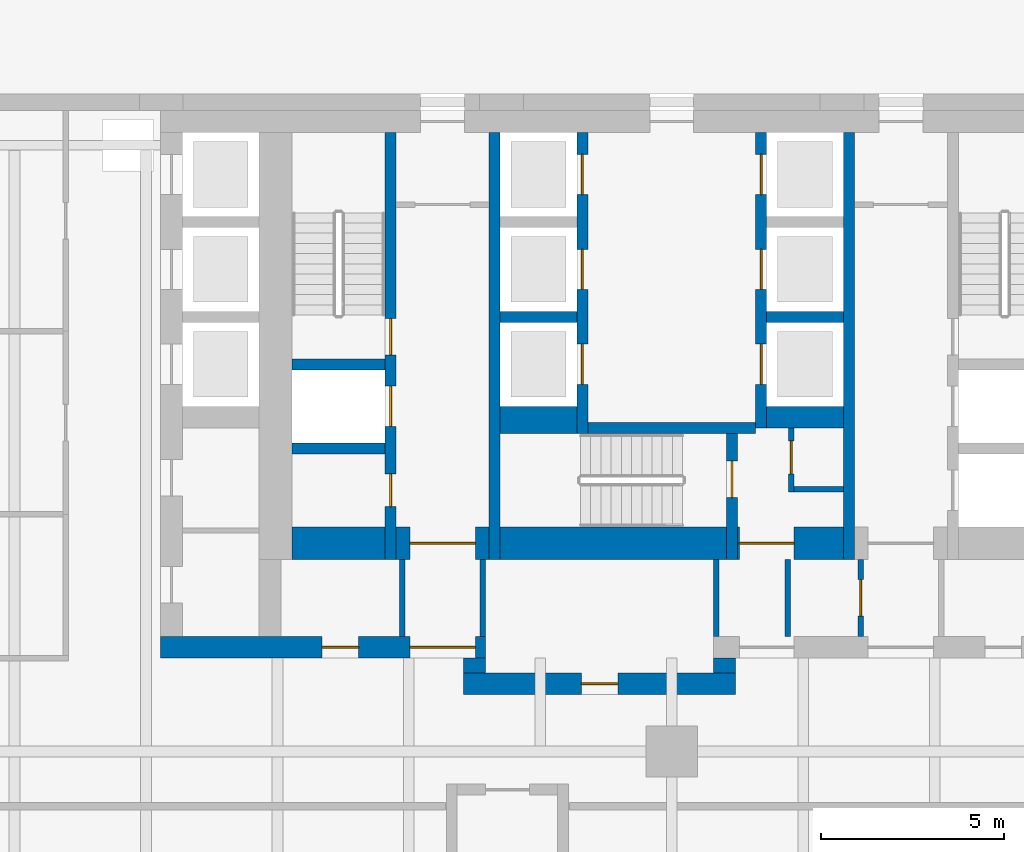
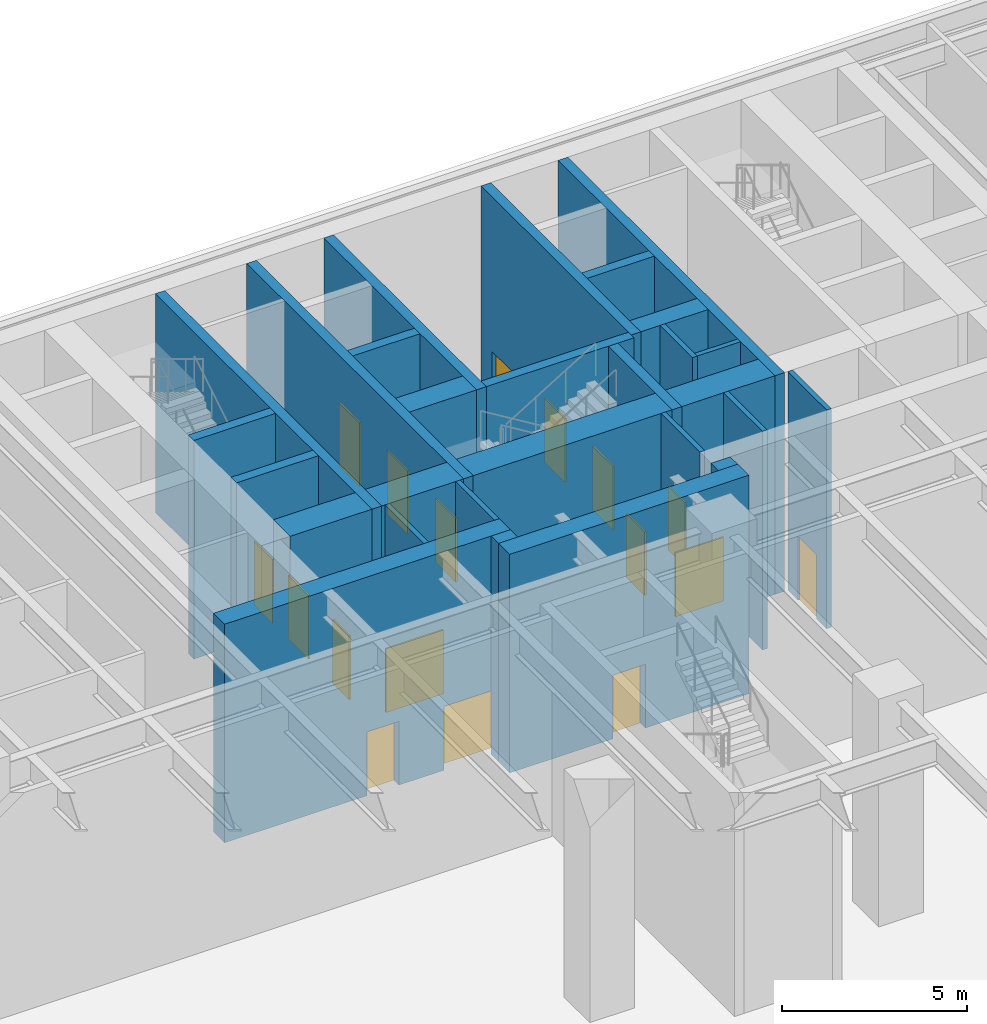
# One storey, part 29 of 37: 28 walls, 17 doors, 17 openings.
"""IFC4 building model written with IfcOpenShell, lengths in metres."""

import ifcopenshell
import ifcopenshell.guid

model = None  # the IFC model being written
_history = None  # IfcOwnerHistory: only IFC2X3 demands one
_inside = {}  # id of a spatial element -> (the spatial element, [elements in it])
_under = {}  # id of a project, library or spatial element -> (it, [spatial elements below it])
_declared = {}  # id of a project -> (the project, [libraries it declares])
_typed = {}  # id of a type object -> (the type object, [elements of that type])
_made_of = {}  # id of a material, layer set ... -> (it, [elements and type objects made of it])


def new_model(schema):
    """Start an empty IFC model of exactly this schema.

    Asked for "IFC4X3", IfcOpenShell would pick the latest addendum, in which some entities
    have other attributes; the version numbers below select the first issue.
    IFC2X3 requires an IfcOwnerHistory on every rooted entity: one is made here for all.
    """
    global model, _history
    if schema == "IFC4X3":
        model = ifcopenshell.file(schema_version=(4, 3, 0, 0))
    else:
        model = ifcopenshell.file(schema=schema)
    _inside.clear()
    _under.clear()
    _declared.clear()
    _typed.clear()
    _made_of.clear()
    _history = None
    if model.schema == "IFC2X3":
        org = make("IfcOrganization", Name="unknown")
        user = make(
            "IfcPersonAndOrganization",
            ThePerson=make("IfcPerson", FamilyName="unknown"),
            TheOrganization=org,
        )
        app = make(
            "IfcApplication",
            ApplicationDeveloper=org,
            Version="unknown",
            ApplicationFullName="unknown",
            ApplicationIdentifier="unknown",
        )
        _history = make(
            "IfcOwnerHistory",
            OwningUser=user,
            OwningApplication=app,
            ChangeAction="ADDED",
            CreationDate=0,
        )
    return model


def make(cls, **values):
    """One entity of the class cls with the attributes given. An attribute that is None is left unset."""
    return model.create_entity(
        cls, **{name: value for name, value in values.items() if value is not None}
    )


def rooted(cls, **values):
    """An entity with a GlobalId (a new one), such as an element, a storey or a relation."""
    return make(cls, GlobalId=ifcopenshell.guid.new(), OwnerHistory=_history, **values)


def si_unit(unit_type, name, prefix=None):
    """IfcSIUnit, for example si_unit("LENGTHUNIT", "METRE", prefix="MILLI")."""
    return make("IfcSIUnit", UnitType=unit_type, Prefix=prefix, Name=name)


def assignment(units):
    """IfcUnitAssignment: the units of a project."""
    return None if units is None else make("IfcUnitAssignment", Units=units)


def point(xyz):
    """IfcCartesianPoint."""
    return None if xyz is None else make("IfcCartesianPoint", Coordinates=xyz)


def direction(xyz):
    """IfcDirection."""
    return None if xyz is None else make("IfcDirection", DirectionRatios=xyz)


def frame(location, z_axis=None, x_axis=None):
    """IfcAxis2Placement3D, a coordinate frame: its origin and axes. An axis left out is left unset."""
    return make(
        "IfcAxis2Placement3D",
        Location=point(location),
        Axis=direction(z_axis),
        RefDirection=direction(x_axis),
    )


def frame_2d(location, x_axis=None):
    """IfcAxis2Placement2D, a coordinate frame in the plane: its origin and x axis."""
    return make(
        "IfcAxis2Placement2D", Location=point(location), RefDirection=direction(x_axis)
    )


def origin():
    """The frame at (0, 0, 0) with its axes left unset."""
    return frame((0.0, 0.0, 0.0))


def place(relative_to, where):
    """IfcLocalPlacement: puts the frame where relative to a parent placement (None: the world)."""
    return make(
        "IfcLocalPlacement", PlacementRelTo=relative_to, RelativePlacement=where
    )


def context(
    kind, dimensions, precision=None, world=None, true_north=None, identifier=None
):
    """IfcGeometricRepresentationContext, for example the 3D "Model" context."""
    return make(
        "IfcGeometricRepresentationContext",
        ContextIdentifier=identifier,
        ContextType=kind,
        CoordinateSpaceDimension=dimensions,
        Precision=precision,
        WorldCoordinateSystem=world,
        TrueNorth=true_north,
    )


def subcontext(parent, identifier, kind, view, scale=None):
    """IfcGeometricRepresentationSubContext, for example "Body" below "Model"."""
    return make(
        "IfcGeometricRepresentationSubContext",
        ContextIdentifier=identifier,
        ContextType=kind,
        ParentContext=parent,
        TargetScale=scale,
        TargetView=view,
    )


def project(units=None, contexts=None):
    """IfcProject with its units and contexts."""
    return rooted(
        "IfcProject",
        Name="project",
        RepresentationContexts=contexts,
        UnitsInContext=assignment(units),
    )


def spatial(cls, under=None, at=None, **own):
    """A site, building, storey or space (cls), placed at a placement, below another one or the project."""
    s = rooted(cls, ObjectPlacement=at, **own)
    if under is not None:
        _under.setdefault(under.id(), (under, []))[1].append(s)
    return s


def profile(cls, at=None, kind="AREA", **sizes):
    """A parametric profile (cls). Its sizes go by their IFC names, for example OverallWidth=200.0."""
    return make(cls, ProfileType=kind, Position=at, **sizes)


def rectangle(**sizes):
    """IfcRectangleProfileDef."""
    return profile("IfcRectangleProfileDef", **sizes)


def extrude(swept, where, along, depth):
    """IfcExtrudedAreaSolid: the profile swept, set in the frame where, extruded along a direction by depth."""
    return make(
        "IfcExtrudedAreaSolid",
        SweptArea=swept,
        Position=where,
        ExtrudedDirection=direction(along),
        Depth=depth,
    )


def shape(context_of_items, identifier, shape_type, items):
    """IfcShapeRepresentation: the items that make up one representation, for example the "Body"."""
    return make(
        "IfcShapeRepresentation",
        ContextOfItems=context_of_items,
        RepresentationIdentifier=identifier,
        RepresentationType=shape_type,
        Items=items,
    )


def material(Name=None, Category=None):
    """IfcMaterial."""
    return make("IfcMaterial", Name=Name, Category=Category)


def layer(
    of_material, thickness, ventilated=None, Name=None, Category=None, Priority=None
):
    """IfcMaterialLayer: one layer of a wall or slab, of a material (None: an air gap)."""
    return make(
        "IfcMaterialLayer",
        Material=of_material,
        LayerThickness=thickness,
        IsVentilated=ventilated,
        Name=Name,
        Category=Category,
        Priority=Priority,
    )


def layer_set(layers, Name=None):
    """IfcMaterialLayerSet."""
    return make("IfcMaterialLayerSet", MaterialLayers=layers, LayerSetName=Name)


def made_of(thing, what):
    """Note that an element or type object is made of a material, layer set ...; save() writes the relation."""
    if what is not None:
        _made_of.setdefault(what.id(), (what, []))[1].append(thing)
    return thing


def type_object(cls, material=None, **own):
    """A type object (cls), such as IfcWallType, which elements share."""
    return made_of(rooted(cls, **own), material)


def element(
    cls,
    number,
    at=None,
    inside=None,
    cuts=None,
    type_object=None,
    material=None,
    context=None,
    identifier="Body",
    shape_type=None,
    held_by="IfcProductDefinitionShape",
    body=None,
    shapes=None,
    **own,
):
    """One element of the class cls, such as IfcWall. Its Tag is "e" and its number.

    at: its placement. inside: the storey or other place that contains it. cuts: it is an
    opening in that element (IfcRelVoidsElement). A single representation is given by context,
    identifier, shape_type and body (its items); several are given by shapes. held_by: the class
    of the entity that holds the representations. save() writes the other relations.
    """
    e = rooted(cls, Tag="e%d" % number, ObjectPlacement=at, **own)
    if body is not None:
        shapes = [shape(context, identifier, shape_type, body)]
    if shapes is not None:
        e.Representation = make(held_by, Representations=shapes)
    if inside is not None:
        _inside.setdefault(inside.id(), (inside, []))[1].append(e)
    if cuts is not None:
        rooted(
            "IfcRelVoidsElement", RelatingBuildingElement=cuts, RelatedOpeningElement=e
        )
    if type_object is not None:
        _typed.setdefault(type_object.id(), (type_object, []))[1].append(e)
    return made_of(e, material)


def fill(opening, filler):
    """IfcRelFillsElement: the door or window that sits in an opening."""
    return rooted(
        "IfcRelFillsElement",
        RelatingOpeningElement=opening,
        RelatedBuildingElement=filler,
    )


def aggregate(whole, parts):
    """IfcRelAggregates: a whole, such as a stair, and the parts it consists of."""
    return rooted("IfcRelAggregates", RelatingObject=whole, RelatedObjects=parts)


def save(model, path):
    """Write the relations noted so far, then the file.

    IfcRelAggregates (storeys below a building ...), IfcRelContainedInSpatialStructure (elements
    in a storey), IfcRelDefinesByType, IfcRelAssociatesMaterial and IfcRelDeclares: one each for
    every whole, place, type object, material and project.
    """
    for whole, parts in _under.values():
        aggregate(whole, parts)
    for where, things in _inside.values():
        rooted(
            "IfcRelContainedInSpatialStructure",
            RelatedElements=things,
            RelatingStructure=where,
        )
    for kind, things in _typed.values():
        rooted("IfcRelDefinesByType", RelatedObjects=things, RelatingType=kind)
    for what, things in _made_of.values():
        rooted("IfcRelAssociatesMaterial", RelatedObjects=things, RelatingMaterial=what)
    for by, libraries in _declared.values():
        rooted("IfcRelDeclares", RelatingContext=by, RelatedDefinitions=libraries)
    model.write(path)


model = new_model("IFC4")

# Units and contexts
model_context = context("Model", 3, precision=1e-05, world=origin(), true_north=direction((0.0, 1.0)))
body_context = subcontext(model_context, "Body", "Model", "MODEL_VIEW")
ifc_project = project(units=[si_unit("LENGTHUNIT", "METRE"), si_unit("AREAUNIT", "SQUARE_METRE"), si_unit("VOLUMEUNIT", "CUBIC_METRE"), si_unit("PLANEANGLEUNIT", "RADIAN"), si_unit("MASSUNIT", "GRAM", prefix="KILO")], contexts=[model_context])

# Site, building, storey
site_placement = place(None, origin())
site = spatial("IfcSite", under=ifc_project, at=site_placement, CompositionType="ELEMENT")
building_placement = place(site_placement, origin())
building = spatial("IfcBuilding", under=site, at=building_placement, Name="Aloe Facet Convention Tower", CompositionType="ELEMENT")
storey_placement = place(building_placement, origin())
storey = spatial("IfcBuildingStorey", under=building, at=storey_placement, Name="L00", CompositionType="ELEMENT", Elevation=0.0)

# Walls
ifc_material_1 = material(Name="Concrete blockwork partition", Category="masonry")
ifc_layer_1 = layer(ifc_material_1, 0.14990234375)
ifc_layer_set_1 = layer_set([ifc_layer_1], Name="CR-W-PART150")
wall_type_1 = type_object("IfcWallType", Name="CR-W-PART150", PredefinedType="PARTITIONING", material=ifc_layer_set_1)
for number, where, z_axis, x_axis, name in (
    (1, (72.625, 122.25, 0.0), (0.0, 0.0, 1.0), (0.0, -1.0, 0.0), "Core partition L00-016"),
    (2, (74.824951171875, 122.25, 0.0), (0.0, 0.0, 1.0), (0.0, -1.0, 0.0), "Core partition L00-019"),
    (3, (81.22509765625, 122.25, 0.0), (0.0, 0.0, 1.0), (0.0, -1.0, 0.0), "Core partition L00-027"),
    (4, (83.175048828125, 122.25, 0.0), (0.0, 0.0, 1.0), (0.0, -1.0, 0.0), "Core partition L00-036"),
):
    element("IfcWall", number, at=place(storey_placement, frame(where, z_axis=z_axis, x_axis=x_axis)), inside=storey, type_object=wall_type_1, Name=name, PredefinedType="PARTITIONING", context=body_context, shape_type="SweptSolid", body=[
        extrude(rectangle(XDim=2.10009765625, YDim=0.14990234375, at=frame_2d((1.050048828125, 0.0))), origin(), (0.0, 0.0, 1.0), 7.199951171875),
    ])

# Wall, opening, door
wall_1_placement = place(storey_placement, frame((83.27490234375, 125.85009765625, 0.0), z_axis=(0.0, 0.0, 1.0), x_axis=(0.0, -1.0, 0.0)))
wall_1 = element("IfcWall", 5, at=wall_1_placement, inside=storey, type_object=wall_type_1, Name="Core partition L00-037", PredefinedType="PARTITIONING", context=body_context, shape_type="SweptSolid", body=[
    extrude(rectangle(XDim=1.75, YDim=0.14990234375, at=frame_2d((0.875, 0.0))), origin(), (0.0, 0.0, 1.0), 7.199951171875),
])
opening_1_placement = place(wall_1_placement, frame((0.35009765625, 0.0, 0.0)))
opening_1 = element("IfcOpeningElement", 6, at=opening_1_placement, cuts=wall_1, Name="Opening L00-CD20", PredefinedType="OPENING", context=body_context, shape_type="SweptSolid", body=[
    extrude(rectangle(XDim=0.89990234375, YDim=2.10009765625, at=frame_2d((0.449951171875, 1.050048828125))), frame((0.0, 0.0849609375, 0.0), z_axis=(0.0, -1.0, 0.0), x_axis=(1.0, 0.0, 0.0)), (0.0, 0.0, 1.0), 0.169921875),
])
ifc_material_2 = material(Name="Steel fire-resisting door set FD60", Category="steel")
door_type_1 = type_object("IfcDoorType", Name="CR-D-REFUGE-900-FD60-SRIGHT", OperationType="SINGLE_SWING_RIGHT", PredefinedType="DOOR", material=ifc_material_2)
door_1_placement = place(opening_1_placement, origin())
door_1 = element("IfcDoor", 7, at=door_1_placement, inside=storey, type_object=door_type_1, Name="Core door L00-CD20", OperationType="SINGLE_SWING_RIGHT", OverallHeight=2.10009765625, OverallWidth=0.89990234375, PredefinedType="DOOR", context=body_context, shape_type="SweptSolid", body=[
    extrude(rectangle(XDim=0.89990234375, YDim=2.10009765625, at=frame_2d((0.449951171875, 1.050048828125))), frame((0.0, 0.02490234375, 0.0), z_axis=(0.0, -1.0, 0.0), x_axis=(1.0, 0.0, 0.0)), (0.0, 0.0, 1.0), 0.050048828125),
])
fill(opening_1, door_1)

# Wall
wall_2_placement = place(storey_placement, frame((83.35009765625, 124.175048828125, 0.0), z_axis=(0.0, 0.0, 1.0), x_axis=(1.0, 0.0, 0.0)))
element("IfcWall", 8, at=wall_2_placement, inside=storey, type_object=wall_type_1, Name="Core partition L00-038", PredefinedType="PARTITIONING", context=body_context, shape_type="SweptSolid", body=[
    extrude(rectangle(XDim=1.349853515625, YDim=0.14990234375, at=frame_2d((0.6748046875, 0.0))), origin(), (0.0, 0.0, 1.0), 7.199951171875),
])

# Wall, opening, door
wall_3_placement = place(storey_placement, frame((85.175048828125, 122.25, 0.0), z_axis=(0.0, 0.0, 1.0), x_axis=(0.0, -1.0, 0.0)))
wall_3 = element("IfcWall", 9, at=wall_3_placement, inside=storey, type_object=wall_type_1, Name="Core partition L00-042", PredefinedType="PARTITIONING", context=body_context, shape_type="SweptSolid", body=[
    extrude(rectangle(XDim=2.10009765625, YDim=0.14990234375, at=frame_2d((1.050048828125, 0.0))), origin(), (0.0, 0.0, 1.0), 7.199951171875),
])
opening_2_placement = place(wall_3_placement, frame((0.550048828125, 0.0, 0.0)))
opening_2 = element("IfcOpeningElement", 10, at=opening_2_placement, cuts=wall_3, Name="Opening L00-CD26", PredefinedType="OPENING", context=body_context, shape_type="SweptSolid", body=[
    extrude(rectangle(XDim=1.0, YDim=2.10009765625, at=frame_2d((0.5, 1.050048828125))), frame((0.0, 0.0849609375, 0.0), z_axis=(0.0, -1.0, 0.0), x_axis=(1.0, 0.0, 0.0)), (0.0, 0.0, 1.0), 0.169921875),
])
ifc_material_3 = material(Name="Steel fire-resisting door set FD60", Category="steel")
door_type_2 = type_object("IfcDoorType", Name="CR-D-ROOM-1000-FD60-SRIGHT", OperationType="SINGLE_SWING_RIGHT", PredefinedType="DOOR", material=ifc_material_3)
door_2_placement = place(opening_2_placement, origin())
door_2 = element("IfcDoor", 11, at=door_2_placement, inside=storey, type_object=door_type_2, Name="Core door L00-CD26", OperationType="SINGLE_SWING_RIGHT", OverallHeight=2.10009765625, OverallWidth=1.0, PredefinedType="DOOR", context=body_context, shape_type="SweptSolid", body=[
    extrude(rectangle(XDim=1.0, YDim=2.10009765625, at=frame_2d((0.5, 1.050048828125))), frame((0.0, 0.02490234375, 0.0), z_axis=(0.0, -1.0, 0.0), x_axis=(1.0, 0.0, 0.0)), (0.0, 0.0, 1.0), 0.050048828125),
])
fill(opening_2, door_2)

# Walls
ifc_material_4 = material(Name="Concrete C80/95", Category="concrete")
ifc_layer_2 = layer(ifc_material_4, 0.300048828125)
ifc_layer_set_2 = layer_set([ifc_layer_2], Name="CR-W-RC300-C8095")
wall_type_2 = type_object("IfcWallType", Name="CR-W-RC300-C8095", PredefinedType="SOLIDWALL", material=ifc_layer_set_2)
for number, where, z_axis, x_axis, name in (
    (12, (69.60009765625, 127.60009765625, 0.0), (0.0, 0.0, 1.0), (1.0, 0.0, 0.0), "Core wall L00-010"),
    (13, (69.60009765625, 125.300048828125, 0.0), (0.0, 0.0, 1.0), (1.0, 0.0, 0.0), "Core wall L00-011"),
):
    element("IfcWall", number, at=place(storey_placement, frame(where, z_axis=z_axis, x_axis=x_axis)), inside=storey, type_object=wall_type_2, Name=name, PredefinedType="SOLIDWALL", context=body_context, shape_type="SweptSolid", body=[
        extrude(rectangle(XDim=2.5498046875, YDim=0.300048828125, at=frame_2d((1.27490234375, 0.0))), origin(), (0.0, 0.0, 1.0), 7.199951171875),
    ])

# Wall, openings, doors
wall_4_placement = place(storey_placement, frame((72.300048828125, 133.949951171875, 0.0), z_axis=(0.0, 0.0, 1.0), x_axis=(0.0, -1.0, 0.0)))
wall_4 = element("IfcWall", 14, at=wall_4_placement, inside=storey, type_object=wall_type_2, Name="Core wall L00-013", PredefinedType="SOLIDWALL", context=body_context, shape_type="SweptSolid", body=[
    extrude(rectangle(XDim=11.699951171875, YDim=0.300048828125, at=frame_2d((5.85009765625, 0.0))), origin(), (0.0, 0.0, 1.0), 7.199951171875),
])
opening_3_placement = place(wall_4_placement, frame((6.949951171875, 0.0, 0.0)))
opening_3 = element("IfcOpeningElement", 15, at=opening_3_placement, cuts=wall_4, Name="Opening LD-FF1-L00", PredefinedType="OPENING", context=body_context, shape_type="SweptSolid", body=[
    extrude(rectangle(XDim=1.10009765625, YDim=2.10009765625, at=frame_2d((0.550048828125, 1.050048828125))), frame((0.0, 0.16015625, 0.0), z_axis=(0.0, -1.0, 0.0), x_axis=(1.0, 0.0, 0.0)), (0.0, 0.0, 1.0), 0.320068359375),
])
opening_4_placement = place(wall_4_placement, frame((9.35009765625, 0.0, 0.0)))
opening_4 = element("IfcOpeningElement", 16, at=opening_4_placement, cuts=wall_4, Name="Opening L00-CD23", PredefinedType="OPENING", context=body_context, shape_type="SweptSolid", body=[
    extrude(rectangle(XDim=0.89990234375, YDim=2.10009765625, at=frame_2d((0.449951171875, 1.050048828125))), frame((0.0, 0.16015625, 0.0), z_axis=(0.0, -1.0, 0.0), x_axis=(1.0, 0.0, 0.0)), (0.0, 0.0, 1.0), 0.320068359375),
])
opening_5_placement = place(wall_4_placement, frame((5.10009765625, 0.0, 0.0)))
opening_5 = element("IfcOpeningElement", 17, at=opening_5_placement, cuts=wall_4, Name="Opening L00-CD32", PredefinedType="OPENING", context=body_context, shape_type="SweptSolid", body=[
    extrude(rectangle(XDim=1.0, YDim=2.10009765625, at=frame_2d((0.5, 1.050048828125))), frame((0.0, 0.16015625, 0.0), z_axis=(0.0, -1.0, 0.0), x_axis=(1.0, 0.0, 0.0)), (0.0, 0.0, 1.0), 0.320068359375),
])
ifc_material_5 = material(Name="Steel fire-resisting door set FD60", Category="steel")
door_type_3 = type_object("IfcDoorType", Name="CR-D-ROOM-900-FD60-SLEFT", OperationType="SINGLE_SWING_LEFT", PredefinedType="DOOR", material=ifc_material_5)
door_3_placement = place(opening_4_placement, origin())
door_3 = element("IfcDoor", 18, at=door_3_placement, inside=storey, type_object=door_type_3, Name="Core door L00-CD23", OperationType="SINGLE_SWING_LEFT", OverallHeight=2.10009765625, OverallWidth=0.89990234375, PredefinedType="DOOR", context=body_context, shape_type="SweptSolid", body=[
    extrude(rectangle(XDim=0.89990234375, YDim=2.10009765625, at=frame_2d((0.449951171875, 1.050048828125))), frame((0.0, 0.02490234375, 0.0), z_axis=(0.0, -1.0, 0.0), x_axis=(1.0, 0.0, 0.0)), (0.0, 0.0, 1.0), 0.050048828125),
])
fill(opening_4, door_3)
ifc_material_6 = material(Name="Steel fire-resisting door set FD120", Category="steel")
door_type_4 = type_object("IfcDoorType", Name="CR-D-STAIR-1000-FD120-SRIGHT", OperationType="SINGLE_SWING_RIGHT", PredefinedType="DOOR", material=ifc_material_6)
door_4_placement = place(opening_5_placement, origin())
door_4 = element("IfcDoor", 19, at=door_4_placement, inside=storey, type_object=door_type_4, Name="Core door L00-CD32", OperationType="SINGLE_SWING_RIGHT", OverallHeight=2.10009765625, OverallWidth=1.0, PredefinedType="DOOR", context=body_context, shape_type="SweptSolid", body=[
    extrude(rectangle(XDim=1.0, YDim=2.10009765625, at=frame_2d((0.5, 1.050048828125))), frame((0.0, 0.02490234375, 0.0), z_axis=(0.0, -1.0, 0.0), x_axis=(1.0, 0.0, 0.0)), (0.0, 0.0, 1.0), 0.050048828125),
])
fill(opening_5, door_4)
ifc_material_7 = material(Name="Stainless steel sliding landing door", Category="steel")
door_type_5 = type_object("IfcDoorType", Name="CR-LD-1100-FD120-_LEFT", OperationType="SLIDING_TO_LEFT", PredefinedType="DOOR", material=ifc_material_7)
door_5_placement = place(opening_3_placement, origin())
door_5 = element("IfcDoor", 20, at=door_5_placement, inside=storey, type_object=door_type_5, Name="Landing door FF1 L00", OperationType="SLIDING_TO_LEFT", OverallHeight=2.10009765625, OverallWidth=1.10009765625, PredefinedType="DOOR", context=body_context, shape_type="SweptSolid", body=[
    extrude(rectangle(XDim=1.10009765625, YDim=2.10009765625, at=frame_2d((0.550048828125, 1.050048828125))), frame((0.0, 0.02490234375, 0.0), z_axis=(0.0, -1.0, 0.0), x_axis=(1.0, 0.0, 0.0)), (0.0, 0.0, 1.0), 0.050048828125),
])
fill(opening_3, door_5)

# Walls
wall_5_placement = place(storey_placement, frame((75.14990234375, 133.949951171875, 0.0), z_axis=(0.0, 0.0, 1.0), x_axis=(0.0, -1.0, 0.0)))
element("IfcWall", 21, at=wall_5_placement, inside=storey, type_object=wall_type_2, Name="Core wall L00-020", PredefinedType="SOLIDWALL", context=body_context, shape_type="SweptSolid", body=[
    extrude(rectangle(XDim=11.699951171875, YDim=0.300048828125, at=frame_2d((5.85009765625, 0.0))), origin(), (0.0, 0.0, 1.0), 7.199951171875),
])
wall_6_placement = place(storey_placement, frame((75.300048828125, 128.89990234375, 0.0), z_axis=(0.0, 0.0, 1.0), x_axis=(1.0, 0.0, 0.0)))
element("IfcWall", 22, at=wall_6_placement, inside=storey, type_object=wall_type_2, Name="Core wall L00-022", PredefinedType="SOLIDWALL", context=body_context, shape_type="SweptSolid", body=[
    extrude(rectangle(XDim=2.099853515625, YDim=0.300048828125, at=frame_2d((1.0498046875, 0.0))), origin(), (0.0, 0.0, 1.0), 7.199951171875),
])

# Wall, openings, doors
wall_7_placement = place(storey_placement, frame((77.550048828125, 133.949951171875, 0.0), z_axis=(0.0, 0.0, 1.0), x_axis=(0.0, -1.0, 0.0)))
wall_7 = element("IfcWall", 23, at=wall_7_placement, inside=storey, type_object=wall_type_2, Name="Core wall L00-025", PredefinedType="SOLIDWALL", context=body_context, shape_type="SweptSolid", body=[
    extrude(rectangle(XDim=8.25, YDim=0.300048828125, at=frame_2d((4.125, 0.0))), origin(), (0.0, 0.0, 1.0), 7.199951171875),
])
opening_6_placement = place(wall_7_placement, frame((0.60009765625, 0.0, 0.0)))
opening_6 = element("IfcOpeningElement", 24, at=opening_6_placement, cuts=wall_7, Name="Opening LD-A1-L00", PredefinedType="OPENING", context=body_context, shape_type="SweptSolid", body=[
    extrude(rectangle(XDim=1.10009765625, YDim=2.10009765625, at=frame_2d((0.550048828125, 1.050048828125))), frame((0.0, 0.16015625, 0.0), z_axis=(0.0, -1.0, 0.0), x_axis=(1.0, 0.0, 0.0)), (0.0, 0.0, 1.0), 0.320068359375),
])
opening_7_placement = place(wall_7_placement, frame((3.199951171875, 0.0, 0.0)))
opening_7 = element("IfcOpeningElement", 25, at=opening_7_placement, cuts=wall_7, Name="Opening LD-A2-L00", PredefinedType="OPENING", context=body_context, shape_type="SweptSolid", body=[
    extrude(rectangle(XDim=1.10009765625, YDim=2.10009765625, at=frame_2d((0.550048828125, 1.050048828125))), frame((0.0, 0.16015625, 0.0), z_axis=(0.0, -1.0, 0.0), x_axis=(1.0, 0.0, 0.0)), (0.0, 0.0, 1.0), 0.320068359375),
])
opening_8_placement = place(wall_7_placement, frame((5.800048828125, 0.0, 0.0)))
opening_8 = element("IfcOpeningElement", 26, at=opening_8_placement, cuts=wall_7, Name="Opening LD-A3-L00", PredefinedType="OPENING", context=body_context, shape_type="SweptSolid", body=[
    extrude(rectangle(XDim=1.10009765625, YDim=2.10009765625, at=frame_2d((0.550048828125, 1.050048828125))), frame((0.0, 0.16015625, 0.0), z_axis=(0.0, -1.0, 0.0), x_axis=(1.0, 0.0, 0.0)), (0.0, 0.0, 1.0), 0.320068359375),
])
ifc_material_8 = material(Name="Stainless steel sliding landing door", Category="steel")
door_type_6 = type_object("IfcDoorType", Name="CR-LD-1100-FD60-RIGHT", OperationType="SLIDING_TO_RIGHT", PredefinedType="DOOR", material=ifc_material_8)
door_6_placement = place(opening_6_placement, origin())
door_6 = element("IfcDoor", 27, at=door_6_placement, inside=storey, type_object=door_type_6, Name="Landing door A1 L00", OperationType="SLIDING_TO_RIGHT", OverallHeight=2.10009765625, OverallWidth=1.10009765625, PredefinedType="DOOR", context=body_context, shape_type="SweptSolid", body=[
    extrude(rectangle(XDim=1.10009765625, YDim=2.10009765625, at=frame_2d((0.550048828125, 1.050048828125))), frame((0.0, 0.02490234375, 0.0), z_axis=(0.0, -1.0, 0.0), x_axis=(1.0, 0.0, 0.0)), (0.0, 0.0, 1.0), 0.050048828125),
])
fill(opening_6, door_6)
door_7_placement = place(opening_7_placement, origin())
door_7 = element("IfcDoor", 28, at=door_7_placement, inside=storey, type_object=door_type_6, Name="Landing door A2 L00", OperationType="SLIDING_TO_RIGHT", OverallHeight=2.10009765625, OverallWidth=1.10009765625, PredefinedType="DOOR", context=body_context, shape_type="SweptSolid", body=[
    extrude(rectangle(XDim=1.10009765625, YDim=2.10009765625, at=frame_2d((0.550048828125, 1.050048828125))), frame((0.0, 0.02490234375, 0.0), z_axis=(0.0, -1.0, 0.0), x_axis=(1.0, 0.0, 0.0)), (0.0, 0.0, 1.0), 0.050048828125),
])
fill(opening_7, door_7)
door_8_placement = place(opening_8_placement, origin())
door_8 = element("IfcDoor", 29, at=door_8_placement, inside=storey, type_object=door_type_6, Name="Landing door A3 L00", OperationType="SLIDING_TO_RIGHT", OverallHeight=2.10009765625, OverallWidth=1.10009765625, PredefinedType="DOOR", context=body_context, shape_type="SweptSolid", body=[
    extrude(rectangle(XDim=1.10009765625, YDim=2.10009765625, at=frame_2d((0.550048828125, 1.050048828125))), frame((0.0, 0.02490234375, 0.0), z_axis=(0.0, -1.0, 0.0), x_axis=(1.0, 0.0, 0.0)), (0.0, 0.0, 1.0), 0.050048828125),
])
fill(opening_8, door_8)

# Wall
wall_8_placement = place(storey_placement, frame((77.699951171875, 125.85009765625, 0.0), z_axis=(0.0, 0.0, 1.0), x_axis=(1.0, 0.0, 0.0)))
element("IfcWall", 30, at=wall_8_placement, inside=storey, type_object=wall_type_2, Name="Core wall L00-026", PredefinedType="SOLIDWALL", context=body_context, shape_type="SweptSolid", body=[
    extrude(rectangle(XDim=4.60009765625, YDim=0.300048828125, at=frame_2d((2.300048828125, 0.0))), origin(), (0.0, 0.0, 1.0), 7.199951171875),
])

# Wall, opening, door
wall_9_placement = place(storey_placement, frame((81.64990234375, 125.699951171875, 0.0), z_axis=(0.0, 0.0, 1.0), x_axis=(0.0, -1.0, 0.0)))
wall_9 = element("IfcWall", 31, at=wall_9_placement, inside=storey, type_object=wall_type_2, Name="Core wall L00-030", PredefinedType="SOLIDWALL", context=body_context, shape_type="SweptSolid", body=[
    extrude(rectangle(XDim=3.449951171875, YDim=0.300048828125, at=frame_2d((1.72509765625, 0.0))), origin(), (0.0, 0.0, 1.0), 7.199951171875),
])
opening_9_placement = place(wall_9_placement, frame((0.75, 0.0, 0.0)))
opening_9 = element("IfcOpeningElement", 32, at=opening_9_placement, cuts=wall_9, Name="Opening L00-CD34", PredefinedType="OPENING", context=body_context, shape_type="SweptSolid", body=[
    extrude(rectangle(XDim=1.0, YDim=2.10009765625, at=frame_2d((0.5, 1.050048828125))), frame((0.0, 0.16015625, 0.0), z_axis=(0.0, -1.0, 0.0), x_axis=(1.0, 0.0, 0.0)), (0.0, 0.0, 1.0), 0.320068359375),
])
ifc_material_9 = material(Name="Steel fire-resisting door set FD120", Category="steel")
door_type_7 = type_object("IfcDoorType", Name="CR-D-STAIR-1000-FD120-SLEFT", OperationType="SINGLE_SWING_LEFT", PredefinedType="DOOR", material=ifc_material_9)
door_9_placement = place(opening_9_placement, origin())
door_9 = element("IfcDoor", 33, at=door_9_placement, inside=storey, type_object=door_type_7, Name="Core door L00-CD34", OperationType="SINGLE_SWING_LEFT", OverallHeight=2.10009765625, OverallWidth=1.0, PredefinedType="DOOR", context=body_context, shape_type="SweptSolid", body=[
    extrude(rectangle(XDim=1.0, YDim=2.10009765625, at=frame_2d((0.5, 1.050048828125))), frame((0.0, 0.02490234375, 0.0), z_axis=(0.0, -1.0, 0.0), x_axis=(1.0, 0.0, 0.0)), (0.0, 0.0, 1.0), 0.050048828125),
])
fill(opening_9, door_9)

# Wall, openings, doors
wall_10_placement = place(storey_placement, frame((82.449951171875, 133.949951171875, 0.0), z_axis=(0.0, 0.0, 1.0), x_axis=(0.0, -1.0, 0.0)))
wall_10 = element("IfcWall", 34, at=wall_10_placement, inside=storey, type_object=wall_type_2, Name="Core wall L00-032", PredefinedType="SOLIDWALL", context=body_context, shape_type="SweptSolid", body=[
    extrude(rectangle(XDim=8.099853515625, YDim=0.300048828125, at=frame_2d((4.0498046875, 0.0))), origin(), (0.0, 0.0, 1.0), 7.199951171875),
])
opening_10_placement = place(wall_10_placement, frame((0.60009765625, 0.0, 0.0)))
opening_10 = element("IfcOpeningElement", 35, at=opening_10_placement, cuts=wall_10, Name="Opening LD-A4-L00", PredefinedType="OPENING", context=body_context, shape_type="SweptSolid", body=[
    extrude(rectangle(XDim=1.10009765625, YDim=2.10009765625, at=frame_2d((0.550048828125, 1.050048828125))), frame((0.0, 0.16015625, 0.0), z_axis=(0.0, -1.0, 0.0), x_axis=(1.0, 0.0, 0.0)), (0.0, 0.0, 1.0), 0.320068359375),
])
opening_11_placement = place(wall_10_placement, frame((3.199951171875, 0.0, 0.0)))
opening_11 = element("IfcOpeningElement", 36, at=opening_11_placement, cuts=wall_10, Name="Opening LD-A5-L00", PredefinedType="OPENING", context=body_context, shape_type="SweptSolid", body=[
    extrude(rectangle(XDim=1.10009765625, YDim=2.10009765625, at=frame_2d((0.550048828125, 1.050048828125))), frame((0.0, 0.16015625, 0.0), z_axis=(0.0, -1.0, 0.0), x_axis=(1.0, 0.0, 0.0)), (0.0, 0.0, 1.0), 0.320068359375),
])
opening_12_placement = place(wall_10_placement, frame((5.800048828125, 0.0, 0.0)))
opening_12 = element("IfcOpeningElement", 37, at=opening_12_placement, cuts=wall_10, Name="Opening LD-A6-L00", PredefinedType="OPENING", context=body_context, shape_type="SweptSolid", body=[
    extrude(rectangle(XDim=1.10009765625, YDim=2.10009765625, at=frame_2d((0.550048828125, 1.050048828125))), frame((0.0, 0.16015625, 0.0), z_axis=(0.0, -1.0, 0.0), x_axis=(1.0, 0.0, 0.0)), (0.0, 0.0, 1.0), 0.320068359375),
])
ifc_material_10 = material(Name="Stainless steel sliding landing door", Category="steel")
door_type_8 = type_object("IfcDoorType", Name="CR-LD-1100-FD60-_LEFT", OperationType="SLIDING_TO_LEFT", PredefinedType="DOOR", material=ifc_material_10)
door_10_placement = place(opening_10_placement, origin())
door_10 = element("IfcDoor", 38, at=door_10_placement, inside=storey, type_object=door_type_8, Name="Landing door A4 L00", OperationType="SLIDING_TO_LEFT", OverallHeight=2.10009765625, OverallWidth=1.10009765625, PredefinedType="DOOR", context=body_context, shape_type="SweptSolid", body=[
    extrude(rectangle(XDim=1.10009765625, YDim=2.10009765625, at=frame_2d((0.550048828125, 1.050048828125))), frame((0.0, 0.02490234375, 0.0), z_axis=(0.0, -1.0, 0.0), x_axis=(1.0, 0.0, 0.0)), (0.0, 0.0, 1.0), 0.050048828125),
])
fill(opening_10, door_10)
door_11_placement = place(opening_11_placement, origin())
door_11 = element("IfcDoor", 39, at=door_11_placement, inside=storey, type_object=door_type_8, Name="Landing door A5 L00", OperationType="SLIDING_TO_LEFT", OverallHeight=2.10009765625, OverallWidth=1.10009765625, PredefinedType="DOOR", context=body_context, shape_type="SweptSolid", body=[
    extrude(rectangle(XDim=1.10009765625, YDim=2.10009765625, at=frame_2d((0.550048828125, 1.050048828125))), frame((0.0, 0.02490234375, 0.0), z_axis=(0.0, -1.0, 0.0), x_axis=(1.0, 0.0, 0.0)), (0.0, 0.0, 1.0), 0.050048828125),
])
fill(opening_11, door_11)
door_12_placement = place(opening_12_placement, origin())
door_12 = element("IfcDoor", 40, at=door_12_placement, inside=storey, type_object=door_type_8, Name="Landing door A6 L00", OperationType="SLIDING_TO_LEFT", OverallHeight=2.10009765625, OverallWidth=1.10009765625, PredefinedType="DOOR", context=body_context, shape_type="SweptSolid", body=[
    extrude(rectangle(XDim=1.10009765625, YDim=2.10009765625, at=frame_2d((0.550048828125, 1.050048828125))), frame((0.0, 0.02490234375, 0.0), z_axis=(0.0, -1.0, 0.0), x_axis=(1.0, 0.0, 0.0)), (0.0, 0.0, 1.0), 0.050048828125),
])
fill(opening_12, door_12)

# Walls
wall_11_placement = place(storey_placement, frame((82.60009765625, 128.89990234375, 0.0), z_axis=(0.0, 0.0, 1.0), x_axis=(1.0, 0.0, 0.0)))
element("IfcWall", 41, at=wall_11_placement, inside=storey, type_object=wall_type_2, Name="Core wall L00-034", PredefinedType="SOLIDWALL", context=body_context, shape_type="SweptSolid", body=[
    extrude(rectangle(XDim=2.099853515625, YDim=0.300048828125, at=frame_2d((1.0498046875, 0.0))), origin(), (0.0, 0.0, 1.0), 7.199951171875),
])
wall_12_placement = place(storey_placement, frame((84.85009765625, 133.949951171875, 0.0), z_axis=(0.0, 0.0, 1.0), x_axis=(0.0, -1.0, 0.0)))
element("IfcWall", 42, at=wall_12_placement, inside=storey, type_object=wall_type_2, Name="Core wall L00-039", PredefinedType="SOLIDWALL", context=body_context, shape_type="SweptSolid", body=[
    extrude(rectangle(XDim=11.699951171875, YDim=0.300048828125, at=frame_2d((5.85009765625, 0.0))), origin(), (0.0, 0.0, 1.0), 7.199951171875),
])
ifc_material_11 = material(Name="Concrete C80/95", Category="concrete")
ifc_layer_3 = layer(ifc_material_11, 0.39990234375)
ifc_layer_set_3 = layer_set([ifc_layer_3], Name="CR-W-RC400-C8095")
wall_type_3 = type_object("IfcWallType", Name="CR-W-RC400-C8095", PredefinedType="SOLIDWALL", material=ifc_layer_set_3)
wall_13_placement = place(storey_placement, frame((74.300048828125, 119.35009765625, 0.0), z_axis=(0.0, 0.0, 1.0), x_axis=(1.0, 0.0, 0.0)))
element("IfcWall", 43, at=wall_13_placement, inside=storey, type_object=wall_type_3, Name="Core wall L00-017", PredefinedType="SOLIDWALL", context=body_context, shape_type="SweptSolid", body=[
    extrude(rectangle(XDim=0.599853515625, YDim=0.39990234375, at=frame_2d((0.2998046875, 0.0))), origin(), (0.0, 0.0, 1.0), 7.199951171875),
])
wall_14_placement = place(storey_placement, frame((81.14990234375, 119.35009765625, 0.0), z_axis=(0.0, 0.0, 1.0), x_axis=(1.0, 0.0, 0.0)))
element("IfcWall", 44, at=wall_14_placement, inside=storey, type_object=wall_type_3, Name="Core wall L00-029", PredefinedType="SOLIDWALL", context=body_context, shape_type="SweptSolid", body=[
    extrude(rectangle(XDim=0.60009765625, YDim=0.39990234375, at=frame_2d((0.300048828125, 0.0))), origin(), (0.0, 0.0, 1.0), 7.199951171875),
])

# Wall, openings, doors
ifc_material_12 = material(Name="Concrete C80/95", Category="concrete")
ifc_layer_4 = layer(ifc_material_12, 0.60009765625)
ifc_layer_set_4 = layer_set([ifc_layer_4], Name="CR-W-RC600-C8095")
wall_type_4 = type_object("IfcWallType", Name="CR-W-RC600-C8095", PredefinedType="SOLIDWALL", material=ifc_layer_set_4)
wall_15_placement = place(storey_placement, frame((66.0, 119.85009765625, 0.0), z_axis=(0.0, 0.0, 1.0), x_axis=(1.0, 0.0, 0.0)))
wall_15 = element("IfcWall", 45, at=wall_15_placement, inside=storey, type_object=wall_type_4, Name="Core wall L00-003", PredefinedType="SOLIDWALL", context=body_context, shape_type="SweptSolid", body=[
    extrude(rectangle(XDim=8.89990234375, YDim=0.60009765625, at=frame_2d((4.449951171875, 0.0))), origin(), (0.0, 0.0, 1.0), 7.199951171875),
])
opening_13_placement = place(wall_15_placement, frame((6.824951171875, 0.0, 0.0)))
opening_13 = element("IfcOpeningElement", 46, at=opening_13_placement, cuts=wall_15, Name="Opening L00-CD17", PredefinedType="OPENING", context=body_context, shape_type="SweptSolid", body=[
    extrude(rectangle(XDim=1.800048828125, YDim=2.10009765625, at=frame_2d((0.89990234375, 1.050048828125))), frame((0.0, 0.31005859375, 0.0), z_axis=(0.0, -1.0, 0.0), x_axis=(1.0, 0.0, 0.0)), (0.0, 0.0, 1.0), 0.6201171875),
])
opening_14_placement = place(wall_15_placement, frame((4.425048828125, 0.0, 0.0)))
opening_14 = element("IfcOpeningElement", 47, at=opening_14_placement, cuts=wall_15, Name="Opening L00-CD24", PredefinedType="OPENING", context=body_context, shape_type="SweptSolid", body=[
    extrude(rectangle(XDim=1.0, YDim=2.10009765625, at=frame_2d((0.5, 1.050048828125))), frame((0.0, 0.31005859375, 0.0), z_axis=(0.0, -1.0, 0.0), x_axis=(1.0, 0.0, 0.0)), (0.0, 0.0, 1.0), 0.6201171875),
])
ifc_material_13 = material(Name="Steel fire-resisting door set FD60", Category="steel")
door_type_9 = type_object("IfcDoorType", Name="CR-D-EXIT-1800-FD60-DD", OperationType="DOUBLE_DOOR_DOUBLE_SWING", PredefinedType="DOOR", material=ifc_material_13)
door_13_placement = place(opening_13_placement, origin())
door_13 = element("IfcDoor", 48, at=door_13_placement, inside=storey, type_object=door_type_9, Name="Core door L00-CD17", OperationType="DOUBLE_DOOR_DOUBLE_SWING", OverallHeight=2.10009765625, OverallWidth=1.800048828125, PredefinedType="DOOR", context=body_context, shape_type="SweptSolid", body=[
    extrude(rectangle(XDim=1.800048828125, YDim=2.10009765625, at=frame_2d((0.89990234375, 1.050048828125))), frame((0.0, 0.02490234375, 0.0), z_axis=(0.0, -1.0, 0.0), x_axis=(1.0, 0.0, 0.0)), (0.0, 0.0, 1.0), 0.050048828125),
])
fill(opening_13, door_13)
door_14_placement = place(opening_14_placement, origin())
door_14 = element("IfcDoor", 49, at=door_14_placement, inside=storey, type_object=door_type_2, Name="Core door L00-CD24", OperationType="SINGLE_SWING_RIGHT", OverallHeight=2.10009765625, OverallWidth=1.0, PredefinedType="DOOR", context=body_context, shape_type="SweptSolid", body=[
    extrude(rectangle(XDim=1.0, YDim=2.10009765625, at=frame_2d((0.5, 1.050048828125))), frame((0.0, 0.02490234375, 0.0), z_axis=(0.0, -1.0, 0.0), x_axis=(1.0, 0.0, 0.0)), (0.0, 0.0, 1.0), 0.050048828125),
])
fill(opening_14, door_14)

# Wall, opening, door
wall_16_placement = place(storey_placement, frame((74.300048828125, 118.85009765625, 0.0), z_axis=(0.0, 0.0, 1.0), x_axis=(1.0, 0.0, 0.0)))
wall_16 = element("IfcWall", 50, at=wall_16_placement, inside=storey, type_object=wall_type_4, Name="Core wall L00-018", PredefinedType="SOLIDWALL", context=body_context, shape_type="SweptSolid", body=[
    extrude(rectangle(XDim=7.449951171875, YDim=0.60009765625, at=frame_2d((3.72509765625, 0.0))), origin(), (0.0, 0.0, 1.0), 7.199951171875),
])
opening_15_placement = place(wall_16_placement, frame((3.22509765625, 0.0, 0.0)))
opening_15 = element("IfcOpeningElement", 51, at=opening_15_placement, cuts=wall_16, Name="Opening L00-CD25", PredefinedType="OPENING", context=body_context, shape_type="SweptSolid", body=[
    extrude(rectangle(XDim=1.0, YDim=2.10009765625, at=frame_2d((0.5, 1.050048828125))), frame((0.0, 0.31005859375, 0.0), z_axis=(0.0, -1.0, 0.0), x_axis=(1.0, 0.0, 0.0)), (0.0, 0.0, 1.0), 0.6201171875),
])
door_15_placement = place(opening_15_placement, origin())
door_15 = element("IfcDoor", 52, at=door_15_placement, inside=storey, type_object=door_type_2, Name="Core door L00-CD25", OperationType="SINGLE_SWING_RIGHT", OverallHeight=2.10009765625, OverallWidth=1.0, PredefinedType="DOOR", context=body_context, shape_type="SweptSolid", body=[
    extrude(rectangle(XDim=1.0, YDim=2.10009765625, at=frame_2d((0.5, 1.050048828125))), frame((0.0, 0.02490234375, 0.0), z_axis=(0.0, -1.0, 0.0), x_axis=(1.0, 0.0, 0.0)), (0.0, 0.0, 1.0), 0.050048828125),
])
fill(opening_15, door_15)

# Walls
wall_17_placement = place(storey_placement, frame((82.60009765625, 126.14990234375, 0.0), z_axis=(0.0, 0.0, 1.0), x_axis=(1.0, 0.0, 0.0)))
element("IfcWall", 53, at=wall_17_placement, inside=storey, type_object=wall_type_4, Name="Core wall L00-035", PredefinedType="SOLIDWALL", context=body_context, shape_type="SweptSolid", body=[
    extrude(rectangle(XDim=2.099853515625, YDim=0.60009765625, at=frame_2d((1.0498046875, 0.0))), origin(), (0.0, 0.0, 1.0), 7.199951171875),
])
ifc_material_14 = material(Name="Concrete C80/95", Category="concrete")
ifc_layer_5 = layer(ifc_material_14, 0.75)
ifc_layer_set_5 = layer_set([ifc_layer_5], Name="CR-W-RC750-C8095")
wall_type_5 = type_object("IfcWallType", Name="CR-W-RC750-C8095", PredefinedType="SOLIDWALL", material=ifc_layer_set_5)
wall_18_placement = place(storey_placement, frame((75.300048828125, 126.074951171875, 0.0), z_axis=(0.0, 0.0, 1.0), x_axis=(1.0, 0.0, 0.0)))
element("IfcWall", 54, at=wall_18_placement, inside=storey, type_object=wall_type_5, Name="Core wall L00-023", PredefinedType="SOLIDWALL", context=body_context, shape_type="SweptSolid", body=[
    extrude(rectangle(XDim=2.099853515625, YDim=0.75, at=frame_2d((1.0498046875, 0.0))), origin(), (0.0, 0.0, 1.0), 7.199951171875),
])
ifc_material_15 = material(Name="Concrete C80/95", Category="concrete")
ifc_layer_6 = layer(ifc_material_15, 0.89990234375)
ifc_layer_set_6 = layer_set([ifc_layer_6], Name="CR-W-RC900-C8095")
wall_type_6 = type_object("IfcWallType", Name="CR-W-RC900-C8095", PredefinedType="SOLIDWALL", material=ifc_layer_set_6)
wall_19_placement = place(storey_placement, frame((69.60009765625, 122.699951171875, 0.0), z_axis=(0.0, 0.0, 1.0), x_axis=(1.0, 0.0, 0.0)))
element("IfcWall", 55, at=wall_19_placement, inside=storey, type_object=wall_type_6, Name="Core wall L00-012", PredefinedType="SOLIDWALL", context=body_context, shape_type="SweptSolid", body=[
    extrude(rectangle(XDim=2.5498046875, YDim=0.89990234375, at=frame_2d((1.27490234375, 0.0))), origin(), (0.0, 0.0, 1.0), 7.199951171875),
])

# Wall, opening, door
wall_20_placement = place(storey_placement, frame((72.449951171875, 122.699951171875, 0.0), z_axis=(0.0, 0.0, 1.0), x_axis=(1.0, 0.0, 0.0)))
wall_20 = element("IfcWall", 56, at=wall_20_placement, inside=storey, type_object=wall_type_6, Name="Core wall L00-015", PredefinedType="SOLIDWALL", context=body_context, shape_type="SweptSolid", body=[
    extrude(rectangle(XDim=2.550048828125, YDim=0.89990234375, at=frame_2d((1.27490234375, 0.0))), origin(), (0.0, 0.0, 1.0), 7.199951171875),
])
opening_16_placement = place(wall_20_placement, frame((0.375, 0.0, 0.0)))
opening_16 = element("IfcOpeningElement", 57, at=opening_16_placement, cuts=wall_20, Name="Opening L00-CD15", PredefinedType="OPENING", context=body_context, shape_type="SweptSolid", body=[
    extrude(rectangle(XDim=1.800048828125, YDim=2.10009765625, at=frame_2d((0.89990234375, 1.050048828125))), frame((0.0, 0.4599609375, 0.0), z_axis=(0.0, -1.0, 0.0), x_axis=(1.0, 0.0, 0.0)), (0.0, 0.0, 1.0), 0.919921875),
])
ifc_material_16 = material(Name="Steel fire-resisting door set FD120", Category="steel")
door_type_10 = type_object("IfcDoorType", Name="CR-D-EXIT-1800-FD120-DD", OperationType="DOUBLE_DOOR_DOUBLE_SWING", PredefinedType="DOOR", material=ifc_material_16)
door_16_placement = place(opening_16_placement, origin())
door_16 = element("IfcDoor", 58, at=door_16_placement, inside=storey, type_object=door_type_10, Name="Core door L00-CD15", OperationType="DOUBLE_DOOR_DOUBLE_SWING", OverallHeight=2.10009765625, OverallWidth=1.800048828125, PredefinedType="DOOR", context=body_context, shape_type="SweptSolid", body=[
    extrude(rectangle(XDim=1.800048828125, YDim=2.10009765625, at=frame_2d((0.89990234375, 1.050048828125))), frame((0.0, 0.02490234375, 0.0), z_axis=(0.0, -1.0, 0.0), x_axis=(1.0, 0.0, 0.0)), (0.0, 0.0, 1.0), 0.050048828125),
])
fill(opening_16, door_16)

# Wall
wall_21_placement = place(storey_placement, frame((75.300048828125, 122.699951171875, 0.0), z_axis=(0.0, 0.0, 1.0), x_axis=(1.0, 0.0, 0.0)))
element("IfcWall", 59, at=wall_21_placement, inside=storey, type_object=wall_type_6, Name="Core wall L00-024", PredefinedType="SOLIDWALL", context=body_context, shape_type="SweptSolid", body=[
    extrude(rectangle(XDim=6.199951171875, YDim=0.89990234375, at=frame_2d((3.10009765625, 0.0))), origin(), (0.0, 0.0, 1.0), 7.199951171875),
])

# Wall, opening, door
wall_22_placement = place(storey_placement, frame((81.800048828125, 122.699951171875, 0.0), z_axis=(0.0, 0.0, 1.0), x_axis=(1.0, 0.0, 0.0)))
wall_22 = element("IfcWall", 60, at=wall_22_placement, inside=storey, type_object=wall_type_6, Name="Core wall L00-031", PredefinedType="SOLIDWALL", context=body_context, shape_type="SweptSolid", body=[
    extrude(rectangle(XDim=2.89990234375, YDim=0.89990234375, at=frame_2d((1.449951171875, 0.0))), origin(), (0.0, 0.0, 1.0), 7.199951171875),
])
opening_17_placement = place(wall_22_placement, frame((0.050048828125, 0.0, 0.0)))
opening_17 = element("IfcOpeningElement", 61, at=opening_17_placement, cuts=wall_22, Name="Opening L00-CD16", PredefinedType="OPENING", context=body_context, shape_type="SweptSolid", body=[
    extrude(rectangle(XDim=1.5, YDim=2.10009765625, at=frame_2d((0.75, 1.050048828125))), frame((0.0, 0.4599609375, 0.0), z_axis=(0.0, -1.0, 0.0), x_axis=(1.0, 0.0, 0.0)), (0.0, 0.0, 1.0), 0.919921875),
])
ifc_material_17 = material(Name="Steel fire-resisting door set FD60", Category="steel")
door_type_11 = type_object("IfcDoorType", Name="CR-D-EXIT-1500-FD60-DD", OperationType="DOUBLE_DOOR_DOUBLE_SWING", PredefinedType="DOOR", material=ifc_material_17)
door_17_placement = place(opening_17_placement, origin())
door_17 = element("IfcDoor", 62, at=door_17_placement, inside=storey, type_object=door_type_11, Name="Core door L00-CD16", OperationType="DOUBLE_DOOR_DOUBLE_SWING", OverallHeight=2.10009765625, OverallWidth=1.5, PredefinedType="DOOR", context=body_context, shape_type="SweptSolid", body=[
    extrude(rectangle(XDim=1.5, YDim=2.10009765625, at=frame_2d((0.75, 1.050048828125))), frame((0.0, 0.02490234375, 0.0), z_axis=(0.0, -1.0, 0.0), x_axis=(1.0, 0.0, 0.0)), (0.0, 0.0, 1.0), 0.050048828125),
])
fill(opening_17, door_17)

save(model, "model.ifc")
